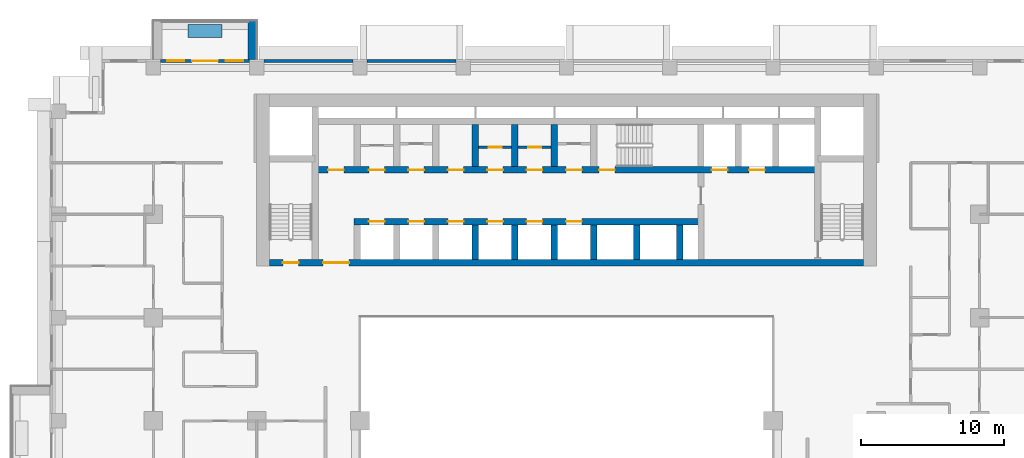
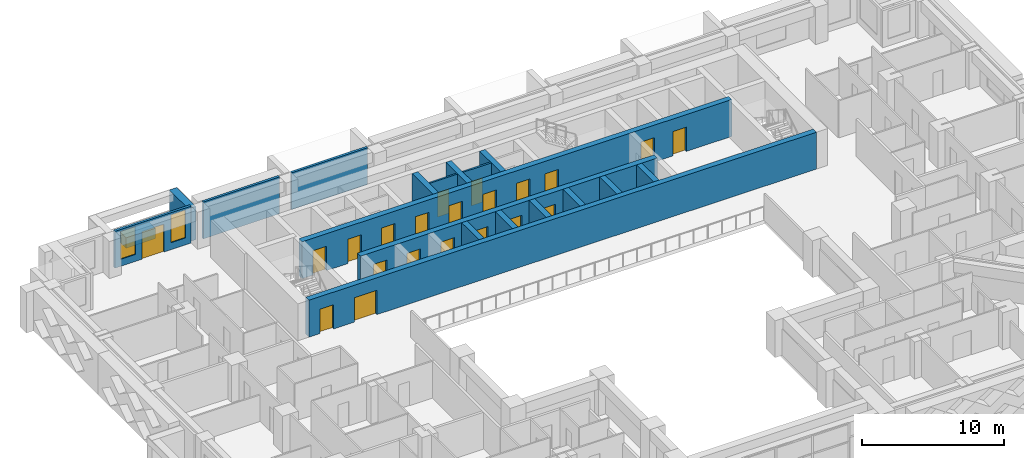
# One storey, part 10 of 16: 21 doors, 19 walls, 2 windows, 23 openings.
"""IFC4 building model written with IfcOpenShell, lengths in metres."""

from ifc_helpers import new_model, si_unit, direction, frame, frame_2d, origin, place, context, subcontext, project, spatial, rectangle, extrude, material, layer, layer_set, type_object, element, fill, save


model = new_model("IFC4")

# Units and contexts
model_context = context("Model", 3, precision=1e-05, world=origin(), true_north=direction((0.0, 1.0)))
body_context = subcontext(model_context, "Body", "Model", "MODEL_VIEW")
ifc_project = project(units=[si_unit("LENGTHUNIT", "METRE"), si_unit("AREAUNIT", "SQUARE_METRE"), si_unit("VOLUMEUNIT", "CUBIC_METRE"), si_unit("PLANEANGLEUNIT", "RADIAN"), si_unit("MASSUNIT", "GRAM", prefix="KILO")], contexts=[model_context])

# Site, building, storey
site_placement = place(None, origin())
site = spatial("IfcSite", under=ifc_project, at=site_placement, CompositionType="ELEMENT")
building_placement = place(site_placement, origin())
building = spatial("IfcBuilding", under=site, at=building_placement, Name="Saffron Iwan Residences", CompositionType="ELEMENT")
storey_placement = place(building_placement, frame((0.0, 0.0, 83.0)))
storey = spatial("IfcBuildingStorey", under=building, at=storey_placement, Name="L21", CompositionType="ELEMENT", Elevation=83.0)

# Walls
ifc_material_1 = material(Name="Concrete C50/60 white painted", Category="concrete")
ifc_layer_1 = layer(ifc_material_1, 0.60009765625)
ifc_layer_set_1 = layer_set([ifc_layer_1], Name="Concrete C50/60 white painted")
wall_type_1 = type_object("IfcWallType", Name="BALCONY FIN 600", PredefinedType="SOLIDWALL", material=ifc_layer_set_1)
wall_1_placement = place(storey_placement, frame((28.5, 80.39990234375, 0.0), z_axis=(0.0, 0.0, 1.0), x_axis=(0.0, 1.0, 0.0)))
element("IfcWall", 1, at=wall_1_placement, inside=storey, type_object=wall_type_1, Name="Balcony fin L21 F5-3a", PredefinedType="SOLIDWALL", context=body_context, shape_type="SweptSolid", body=[
    extrude(rectangle(XDim=2.7001953125, YDim=0.60009765625, at=frame_2d((1.35009765625, 0.0))), origin(), (0.0, 0.0, 1.0), 2.85009765625),
])
ifc_material_2 = material(Name="Concrete C35/45 white painted", Category="concrete")
ifc_layer_2 = layer(ifc_material_2, 0.14990234375)
ifc_layer_set_2 = layer_set([ifc_layer_2], Name="Concrete C35/45 white painted")
wall_type_2 = type_object("IfcWallType", Name="BALCONY PLANTER", PredefinedType="SOLIDWALL", material=ifc_layer_set_2)
wall_2_placement = place(storey_placement, frame((26.39990234375, 82.375, 0.0), z_axis=(0.0, 0.0, 1.0), x_axis=(-1.0, 0.0, 0.0)))
element("IfcWall", 2, at=wall_2_placement, inside=storey, type_object=wall_type_2, Name="PLANTER L21 F5-3", PredefinedType="SOLIDWALL", context=body_context, shape_type="SweptSolid", body=[
    extrude(rectangle(XDim=2.39990234375, YDim=0.89990234375, at=frame_2d((1.199951171875, 0.0))), origin(), (0.0, 0.0, 1.0), 0.89990234375),
])

# Wall, opening, door
ifc_material_3 = material(Name="Fire-rated plasterboard partition")
ifc_layer_3 = layer(ifc_material_3, 0.14990234375)
ifc_layer_set_3 = layer_set([ifc_layer_3], Name="Fire-rated plasterboard partition")
wall_type_3 = type_object("IfcWallType", Name="Core partition 150", PredefinedType="PARTITIONING", material=ifc_layer_set_3)
wall_3_placement = place(storey_placement, frame((44.27490234375, 74.281982421875, 0.0), z_axis=(0.0, 0.0, 1.0), x_axis=(1.0, 0.0, 0.0)))
wall_3 = element("IfcWall", 3, at=wall_3_placement, inside=storey, type_object=wall_type_3, Name="Core partition P03", PredefinedType="PARTITIONING", context=body_context, shape_type="SweptSolid", body=[
    extrude(rectangle(XDim=2.300048828125, YDim=0.14990234375, at=frame_2d((1.14990234375, 0.0))), origin(), (0.0, 0.0, 1.0), 3.179931640625),
])
opening_1_placement = place(wall_3_placement, frame((0.699951171875, 0.0, 0.0)))
opening_1 = element("IfcOpeningElement", 4, at=opening_1_placement, cuts=wall_3, Name="Opening SB", PredefinedType="OPENING", context=body_context, shape_type="SweptSolid", body=[
    extrude(rectangle(XDim=0.89990234375, YDim=2.10009765625, at=frame_2d((0.449951171875, 1.050048828125))), frame((0.0, 0.0849609375, 0.0), z_axis=(0.0, -1.0, 0.0), x_axis=(1.0, 0.0, 0.0)), (0.0, 0.0, 1.0), 0.169921875),
])
ifc_material_4 = material(Name="Steel fire door", Category="steel")
door_type_1 = type_object("IfcDoorType", Name="Store door 900", OperationType="NOTDEFINED", PredefinedType="DOOR", material=ifc_material_4)
door_1_placement = place(opening_1_placement, origin())
door_1 = element("IfcDoor", 5, at=door_1_placement, inside=storey, type_object=door_type_1, Name="Door Records store", OperationType="SINGLE_SWING_RIGHT", OverallHeight=2.10009765625, OverallWidth=0.89990234375, PredefinedType="DOOR", context=body_context, shape_type="SweptSolid", body=[
    extrude(rectangle(XDim=0.89990234375, YDim=2.10009765625, at=frame_2d((0.449951171875, 1.050048828125))), frame((0.0, 0.02490234375, 0.0), z_axis=(0.0, -1.0, 0.0), x_axis=(1.0, 0.0, 0.0)), (0.0, 0.0, 1.0), 0.050048828125),
])
fill(opening_1, door_1)

wall_4_placement = place(storey_placement, frame((47.02490234375, 74.281982421875, 0.0), z_axis=(0.0, 0.0, 1.0), x_axis=(1.0, 0.0, 0.0)))
wall_4 = element("IfcWall", 6, at=wall_4_placement, inside=storey, type_object=wall_type_3, Name="Core partition P04", PredefinedType="PARTITIONING", context=body_context, shape_type="SweptSolid", body=[
    extrude(rectangle(XDim=2.300048828125, YDim=0.14990234375, at=frame_2d((1.14990234375, 0.0))), origin(), (0.0, 0.0, 1.0), 3.179931640625),
])
opening_2_placement = place(wall_4_placement, frame((0.699951171875, 0.0, 0.0)))
opening_2 = element("IfcOpeningElement", 7, at=opening_2_placement, cuts=wall_4, Name="Opening SB", PredefinedType="OPENING", context=body_context, shape_type="SweptSolid", body=[
    extrude(rectangle(XDim=0.89990234375, YDim=2.10009765625, at=frame_2d((0.449951171875, 1.050048828125))), frame((0.0, 0.0849609375, 0.0), z_axis=(0.0, -1.0, 0.0), x_axis=(1.0, 0.0, 0.0)), (0.0, 0.0, 1.0), 0.169921875),
])
door_2_placement = place(opening_2_placement, origin())
door_2 = element("IfcDoor", 8, at=door_2_placement, inside=storey, type_object=door_type_1, Name="Door Stationery store", OperationType="SINGLE_SWING_LEFT", OverallHeight=2.10009765625, OverallWidth=0.89990234375, PredefinedType="DOOR", context=body_context, shape_type="SweptSolid", body=[
    extrude(rectangle(XDim=0.89990234375, YDim=2.10009765625, at=frame_2d((0.449951171875, 1.050048828125))), frame((0.0, 0.02490234375, 0.0), z_axis=(0.0, -1.0, 0.0), x_axis=(1.0, 0.0, 0.0)), (0.0, 0.0, 1.0), 0.050048828125),
])
fill(opening_2, door_2)

# Walls
ifc_material_5 = material(Name="Concrete C40/50", Category="concrete")
ifc_layer_4 = layer(ifc_material_5, 0.199951171875)
ifc_layer_set_4 = layer_set([ifc_layer_4], Name="Concrete C40/50")
wall_type_4 = type_object("IfcWallType", Name="EXTERNAL WALL 200", PredefinedType="SOLIDWALL", material=ifc_layer_set_4)
for number, where, z_axis, x_axis, name in (
    (9, (42.699951171875, 80.300048828125, 0.0), (0.0, 0.0, 1.0), (-1.0, 0.0, 0.0), "External wall L21 F5.6"),
    (10, (35.5, 80.300048828125, 0.0), (0.0, 0.0, 1.0), (-1.0, 0.0, 0.0), "External wall L21 F5.7"),
):
    element("IfcWall", number, at=place(storey_placement, frame(where, z_axis=z_axis, x_axis=x_axis)), inside=storey, type_object=wall_type_4, Name=name, PredefinedType="SOLIDWALL", context=body_context, shape_type="SweptSolid", body=[
        extrude(rectangle(XDim=6.199951171875, YDim=0.199951171875, at=frame_2d((3.10009765625, 0.0))), origin(), (0.0, 0.0, 1.0), 3.179931640625),
    ])

# Wall, openings, door, windows
wall_5_placement = place(storey_placement, frame((28.300048828125, 80.300048828125, 0.0), z_axis=(0.0, 0.0, 1.0), x_axis=(-1.0, 0.0, 0.0)))
wall_5 = element("IfcWall", 11, at=wall_5_placement, inside=storey, type_object=wall_type_4, Name="External wall L21 F5.8", PredefinedType="SOLIDWALL", context=body_context, shape_type="SweptSolid", body=[
    extrude(rectangle(XDim=6.199951171875, YDim=0.199951171875, at=frame_2d((3.10009765625, 0.0))), origin(), (0.0, 0.0, 1.0), 3.179931640625),
])
opening_3_placement = place(wall_5_placement, frame((2.199951171875, 0.0, 0.0)))
opening_3 = element("IfcOpeningElement", 12, at=opening_3_placement, cuts=wall_5, Name="Opening BD1", PredefinedType="OPENING", context=body_context, shape_type="SweptSolid", body=[
    extrude(rectangle(XDim=1.800048828125, YDim=2.39990234375, at=frame_2d((0.89990234375, 1.199951171875))), frame((0.0, 0.10986328125, 0.0), z_axis=(0.0, -1.0, 0.0), x_axis=(1.0, 0.0, 0.0)), (0.0, 0.0, 1.0), 0.219970703125),
])
opening_4_placement = place(wall_5_placement, frame((0.449951171875, 0.0, 0.60009765625)))
opening_4 = element("IfcOpeningElement", 13, at=opening_4_placement, cuts=wall_5, Name="Opening W3", PredefinedType="OPENING", context=body_context, shape_type="SweptSolid", body=[
    extrude(rectangle(XDim=1.199951171875, YDim=2.39990234375, at=frame_2d((0.60009765625, 1.199951171875))), frame((0.0, 0.10986328125, 0.0), z_axis=(0.0, -1.0, 0.0), x_axis=(1.0, 0.0, 0.0)), (0.0, 0.0, 1.0), 0.219970703125),
])
opening_5_placement = place(wall_5_placement, frame((4.550048828125, 0.0, 0.60009765625)))
opening_5 = element("IfcOpeningElement", 14, at=opening_5_placement, cuts=wall_5, Name="Opening W3", PredefinedType="OPENING", context=body_context, shape_type="SweptSolid", body=[
    extrude(rectangle(XDim=1.199951171875, YDim=2.39990234375, at=frame_2d((0.60009765625, 1.199951171875))), frame((0.0, 0.10986328125, 0.0), z_axis=(0.0, -1.0, 0.0), x_axis=(1.0, 0.0, 0.0)), (0.0, 0.0, 1.0), 0.219970703125),
])
ifc_material_6 = material(Name="Clear glass, laminated double glazed", Category="glass")
door_type_2 = type_object("IfcDoorType", Name="BALCONY DOOR 1800 x 2400", OperationType="DOUBLE_DOOR_SLIDING", PredefinedType="DOOR", material=ifc_material_6)
door_3_placement = place(opening_3_placement, origin())
door_3 = element("IfcDoor", 15, at=door_3_placement, inside=storey, type_object=door_type_2, Name="Balcony door L21 F5.0", OperationType="DOUBLE_DOOR_SLIDING", OverallHeight=2.39990234375, OverallWidth=1.800048828125, PredefinedType="DOOR", context=body_context, shape_type="SweptSolid", body=[
    extrude(rectangle(XDim=1.800048828125, YDim=2.39990234375, at=frame_2d((0.89990234375, 1.199951171875))), frame((0.0, 0.02490234375, 0.0), z_axis=(0.0, -1.0, 0.0), x_axis=(1.0, 0.0, 0.0)), (0.0, 0.0, 1.0), 0.050048828125),
])
fill(opening_3, door_3)
window_type = type_object("IfcWindowType", Name="WINDOW 1200 x 2400", PartitioningType="SINGLE_PANEL", PredefinedType="WINDOW", material=ifc_material_6)
window_1_placement = place(opening_4_placement, origin())
window_1 = element("IfcWindow", 16, at=window_1_placement, inside=storey, type_object=window_type, Name="Window L21 F5.1", OverallHeight=2.39990234375, OverallWidth=1.199951171875, PartitioningType="SINGLE_PANEL", PredefinedType="WINDOW", context=body_context, shape_type="SweptSolid", body=[
    extrude(rectangle(XDim=1.199951171875, YDim=2.39990234375, at=frame_2d((0.60009765625, 1.199951171875))), frame((0.0, 0.030029296875, 0.0), z_axis=(0.0, -1.0, 0.0), x_axis=(1.0, 0.0, 0.0)), (0.0, 0.0, 1.0), 0.06005859375),
])
fill(opening_4, window_1)
window_2_placement = place(opening_5_placement, origin())
window_2 = element("IfcWindow", 17, at=window_2_placement, inside=storey, type_object=window_type, Name="Window L21 F5.2", OverallHeight=2.39990234375, OverallWidth=1.199951171875, PartitioningType="SINGLE_PANEL", PredefinedType="WINDOW", context=body_context, shape_type="SweptSolid", body=[
    extrude(rectangle(XDim=1.199951171875, YDim=2.39990234375, at=frame_2d((0.60009765625, 1.199951171875))), frame((0.0, 0.030029296875, 0.0), z_axis=(0.0, -1.0, 0.0), x_axis=(1.0, 0.0, 0.0)), (0.0, 0.0, 1.0), 0.06005859375),
])
fill(opening_5, window_2)

# Wall, openings, doors
ifc_material_7 = material(Name="Concrete C60/75", Category="concrete")
ifc_layer_5 = layer(ifc_material_7, 0.449951171875)
ifc_layer_set_5 = layer_set([ifc_layer_5], Name="Concrete C60/75")
wall_type_5 = type_object("IfcWallType", Name="WALL CORE 450 C60/75 3180 HIGH", PredefinedType="SHEAR", material=ifc_layer_set_5)
wall_6_placement = place(storey_placement, frame((29.699951171875, 66.22509765625, 0.0), z_axis=(0.0, 0.0, 1.0), x_axis=(1.0, 0.0, 0.0)))
wall_6 = element("IfcWall", 18, at=wall_6_placement, inside=storey, type_object=wall_type_5, Name="Core wall", PredefinedType="SHEAR", context=body_context, shape_type="SweptSolid", body=[
    extrude(rectangle(XDim=41.400146484375, YDim=0.449951171875, at=frame_2d((20.7001953125, 0.0))), origin(), (0.0, 0.0, 1.0), 3.179931640625),
])
opening_6_placement = place(wall_6_placement, frame((0.925048828125, 0.0, 0.0)))
opening_6 = element("IfcOpeningElement", 19, at=opening_6_placement, cuts=wall_6, Name="Opening SD", PredefinedType="OPENING", context=body_context, shape_type="SweptSolid", body=[
    extrude(rectangle(XDim=1.10009765625, YDim=2.10009765625, at=frame_2d((0.550048828125, 1.050048828125))), frame((0.0, 0.23486328125, 0.0), z_axis=(0.0, -1.0, 0.0), x_axis=(1.0, 0.0, 0.0)), (0.0, 0.0, 1.0), 0.469970703125),
])
opening_7_placement = place(wall_6_placement, frame((3.737548828125, 0.0, 0.0)))
opening_7 = element("IfcOpeningElement", 20, at=opening_7_placement, cuts=wall_6, Name="Opening DD", PredefinedType="OPENING", context=body_context, shape_type="SweptSolid", body=[
    extrude(rectangle(XDim=1.800048828125, YDim=2.10009765625, at=frame_2d((0.89990234375, 1.050048828125))), frame((0.0, 0.23486328125, 0.0), z_axis=(0.0, -1.0, 0.0), x_axis=(1.0, 0.0, 0.0)), (0.0, 0.0, 1.0), 0.469970703125),
])
door_type_3 = type_object("IfcDoorType", Name="Lobby double door 1800", OperationType="DOUBLE_DOOR_SINGLE_SWING", PredefinedType="DOOR", material=ifc_material_4)
door_4_placement = place(opening_7_placement, origin())
door_4 = element("IfcDoor", 21, at=door_4_placement, inside=storey, type_object=door_type_3, Name="Lobby doors", OperationType="DOUBLE_DOOR_SINGLE_SWING", OverallHeight=2.10009765625, OverallWidth=1.800048828125, PredefinedType="DOOR", context=body_context, shape_type="SweptSolid", body=[
    extrude(rectangle(XDim=1.800048828125, YDim=2.10009765625, at=frame_2d((0.89990234375, 1.050048828125))), frame((0.0, 0.02490234375, 0.0), z_axis=(0.0, -1.0, 0.0), x_axis=(1.0, 0.0, 0.0)), (0.0, 0.0, 1.0), 0.050048828125),
])
fill(opening_7, door_4)
door_type_4 = type_object("IfcDoorType", Name="Stair door 1100", OperationType="NOTDEFINED", PredefinedType="DOOR", material=ifc_material_4)
door_5_placement = place(opening_6_placement, origin())
door_5 = element("IfcDoor", 22, at=door_5_placement, inside=storey, type_object=door_type_4, Name="Stair door ST-W", OperationType="SINGLE_SWING_LEFT", OverallHeight=2.10009765625, OverallWidth=1.10009765625, PredefinedType="DOOR", context=body_context, shape_type="SweptSolid", body=[
    extrude(rectangle(XDim=1.10009765625, YDim=2.10009765625, at=frame_2d((0.550048828125, 1.050048828125))), frame((0.0, 0.02490234375, 0.0), z_axis=(0.0, -1.0, 0.0), x_axis=(1.0, 0.0, 0.0)), (0.0, 0.0, 1.0), 0.050048828125),
])
fill(opening_6, door_5)

wall_7_placement = place(storey_placement, frame((35.574951171875, 69.10009765625, 0.0), z_axis=(0.0, 0.0, 1.0), x_axis=(1.0, 0.0, 0.0)))
wall_7 = element("IfcWall", 23, at=wall_7_placement, inside=storey, type_object=wall_type_5, Name="Core wall", PredefinedType="SHEAR", context=body_context, shape_type="SweptSolid", body=[
    extrude(rectangle(XDim=24.199951171875, YDim=0.449951171875, at=frame_2d((12.10009765625, 0.0))), origin(), (0.0, 0.0, 1.0), 3.179931640625),
])
opening_8_placement = place(wall_7_placement, frame((1.050048828125, 0.0, 0.0)))
opening_8 = element("IfcOpeningElement", 24, at=opening_8_placement, cuts=wall_7, Name="Opening LD", PredefinedType="OPENING", context=body_context, shape_type="SweptSolid", body=[
    extrude(rectangle(XDim=1.10009765625, YDim=2.10009765625, at=frame_2d((0.550048828125, 1.050048828125))), frame((0.0, 0.23486328125, 0.0), z_axis=(0.0, -1.0, 0.0), x_axis=(1.0, 0.0, 0.0)), (0.0, 0.0, 1.0), 0.469970703125),
])
opening_9_placement = place(wall_7_placement, frame((3.800048828125, 0.0, 0.0)))
opening_9 = element("IfcOpeningElement", 25, at=opening_9_placement, cuts=wall_7, Name="Opening LD", PredefinedType="OPENING", context=body_context, shape_type="SweptSolid", body=[
    extrude(rectangle(XDim=1.10009765625, YDim=2.10009765625, at=frame_2d((0.550048828125, 1.050048828125))), frame((0.0, 0.23486328125, 0.0), z_axis=(0.0, -1.0, 0.0), x_axis=(1.0, 0.0, 0.0)), (0.0, 0.0, 1.0), 0.469970703125),
])
opening_10_placement = place(wall_7_placement, frame((6.550048828125, 0.0, 0.0)))
opening_10 = element("IfcOpeningElement", 26, at=opening_10_placement, cuts=wall_7, Name="Opening LD", PredefinedType="OPENING", context=body_context, shape_type="SweptSolid", body=[
    extrude(rectangle(XDim=1.10009765625, YDim=2.10009765625, at=frame_2d((0.550048828125, 1.050048828125))), frame((0.0, 0.23486328125, 0.0), z_axis=(0.0, -1.0, 0.0), x_axis=(1.0, 0.0, 0.0)), (0.0, 0.0, 1.0), 0.469970703125),
])
opening_11_placement = place(wall_7_placement, frame((9.300048828125, 0.0, 0.0)))
opening_11 = element("IfcOpeningElement", 27, at=opening_11_placement, cuts=wall_7, Name="Opening LD", PredefinedType="OPENING", context=body_context, shape_type="SweptSolid", body=[
    extrude(rectangle(XDim=1.10009765625, YDim=2.10009765625, at=frame_2d((0.550048828125, 1.050048828125))), frame((0.0, 0.23486328125, 0.0), z_axis=(0.0, -1.0, 0.0), x_axis=(1.0, 0.0, 0.0)), (0.0, 0.0, 1.0), 0.469970703125),
])
opening_12_placement = place(wall_7_placement, frame((12.050048828125, 0.0, 0.0)))
opening_12 = element("IfcOpeningElement", 28, at=opening_12_placement, cuts=wall_7, Name="Opening LD", PredefinedType="OPENING", context=body_context, shape_type="SweptSolid", body=[
    extrude(rectangle(XDim=1.10009765625, YDim=2.10009765625, at=frame_2d((0.550048828125, 1.050048828125))), frame((0.0, 0.23486328125, 0.0), z_axis=(0.0, -1.0, 0.0), x_axis=(1.0, 0.0, 0.0)), (0.0, 0.0, 1.0), 0.469970703125),
])
opening_13_placement = place(wall_7_placement, frame((14.800048828125, 0.0, 0.0)))
opening_13 = element("IfcOpeningElement", 29, at=opening_13_placement, cuts=wall_7, Name="Opening LD", PredefinedType="OPENING", context=body_context, shape_type="SweptSolid", body=[
    extrude(rectangle(XDim=1.10009765625, YDim=2.10009765625, at=frame_2d((0.550048828125, 1.050048828125))), frame((0.0, 0.23486328125, 0.0), z_axis=(0.0, -1.0, 0.0), x_axis=(1.0, 0.0, 0.0)), (0.0, 0.0, 1.0), 0.469970703125),
])
door_type_5 = type_object("IfcDoorType", Name="Lift landing door 1100", OperationType="SLIDING_TO_LEFT", PredefinedType="DOOR", material=ifc_material_4)
door_6_placement = place(opening_8_placement, origin())
door_6 = element("IfcDoor", 30, at=door_6_placement, inside=storey, type_object=door_type_5, Name="Landing doors LR1", OperationType="SLIDING_TO_LEFT", OverallHeight=2.10009765625, OverallWidth=1.10009765625, PredefinedType="DOOR", context=body_context, shape_type="SweptSolid", body=[
    extrude(rectangle(XDim=1.10009765625, YDim=2.10009765625, at=frame_2d((0.550048828125, 1.050048828125))), frame((0.0, 0.02490234375, 0.0), z_axis=(0.0, -1.0, 0.0), x_axis=(1.0, 0.0, 0.0)), (0.0, 0.0, 1.0), 0.050048828125),
])
fill(opening_8, door_6)
door_7_placement = place(opening_9_placement, origin())
door_7 = element("IfcDoor", 31, at=door_7_placement, inside=storey, type_object=door_type_5, Name="Landing doors LR2", OperationType="SLIDING_TO_LEFT", OverallHeight=2.10009765625, OverallWidth=1.10009765625, PredefinedType="DOOR", context=body_context, shape_type="SweptSolid", body=[
    extrude(rectangle(XDim=1.10009765625, YDim=2.10009765625, at=frame_2d((0.550048828125, 1.050048828125))), frame((0.0, 0.02490234375, 0.0), z_axis=(0.0, -1.0, 0.0), x_axis=(1.0, 0.0, 0.0)), (0.0, 0.0, 1.0), 0.050048828125),
])
fill(opening_9, door_7)
door_8_placement = place(opening_10_placement, origin())
door_8 = element("IfcDoor", 32, at=door_8_placement, inside=storey, type_object=door_type_5, Name="Landing doors LR3", OperationType="SLIDING_TO_LEFT", OverallHeight=2.10009765625, OverallWidth=1.10009765625, PredefinedType="DOOR", context=body_context, shape_type="SweptSolid", body=[
    extrude(rectangle(XDim=1.10009765625, YDim=2.10009765625, at=frame_2d((0.550048828125, 1.050048828125))), frame((0.0, 0.02490234375, 0.0), z_axis=(0.0, -1.0, 0.0), x_axis=(1.0, 0.0, 0.0)), (0.0, 0.0, 1.0), 0.050048828125),
])
fill(opening_10, door_8)
door_9_placement = place(opening_11_placement, origin())
door_9 = element("IfcDoor", 33, at=door_9_placement, inside=storey, type_object=door_type_5, Name="Landing doors LR4", OperationType="SLIDING_TO_LEFT", OverallHeight=2.10009765625, OverallWidth=1.10009765625, PredefinedType="DOOR", context=body_context, shape_type="SweptSolid", body=[
    extrude(rectangle(XDim=1.10009765625, YDim=2.10009765625, at=frame_2d((0.550048828125, 1.050048828125))), frame((0.0, 0.02490234375, 0.0), z_axis=(0.0, -1.0, 0.0), x_axis=(1.0, 0.0, 0.0)), (0.0, 0.0, 1.0), 0.050048828125),
])
fill(opening_11, door_9)
door_10_placement = place(opening_12_placement, origin())
door_10 = element("IfcDoor", 34, at=door_10_placement, inside=storey, type_object=door_type_5, Name="Landing doors LR5", OperationType="SLIDING_TO_LEFT", OverallHeight=2.10009765625, OverallWidth=1.10009765625, PredefinedType="DOOR", context=body_context, shape_type="SweptSolid", body=[
    extrude(rectangle(XDim=1.10009765625, YDim=2.10009765625, at=frame_2d((0.550048828125, 1.050048828125))), frame((0.0, 0.02490234375, 0.0), z_axis=(0.0, -1.0, 0.0), x_axis=(1.0, 0.0, 0.0)), (0.0, 0.0, 1.0), 0.050048828125),
])
fill(opening_12, door_10)
door_11_placement = place(opening_13_placement, origin())
door_11 = element("IfcDoor", 35, at=door_11_placement, inside=storey, type_object=door_type_5, Name="Landing doors LR6", OperationType="SLIDING_TO_LEFT", OverallHeight=2.10009765625, OverallWidth=1.10009765625, PredefinedType="DOOR", context=body_context, shape_type="SweptSolid", body=[
    extrude(rectangle(XDim=1.10009765625, YDim=2.10009765625, at=frame_2d((0.550048828125, 1.050048828125))), frame((0.0, 0.02490234375, 0.0), z_axis=(0.0, -1.0, 0.0), x_axis=(1.0, 0.0, 0.0)), (0.0, 0.0, 1.0), 0.050048828125),
])
fill(opening_13, door_11)

wall_8_placement = place(storey_placement, frame((32.875, 72.699951171875, 0.0), z_axis=(0.0, 0.0, 1.0), x_axis=(1.0, 0.0, 0.0)))
wall_8 = element("IfcWall", 36, at=wall_8_placement, inside=storey, type_object=wall_type_5, Name="Core wall", PredefinedType="SHEAR", context=body_context, shape_type="SweptSolid", body=[
    extrude(rectangle(XDim=35.050048828125, YDim=0.449951171875, at=frame_2d((17.52490234375, 0.0))), origin(), (0.0, 0.0, 1.0), 3.179931640625),
])
opening_14_placement = place(wall_8_placement, frame((19.800048828125, 0.0, 0.0)))
opening_14 = element("IfcOpeningElement", 37, at=opening_14_placement, cuts=wall_8, Name="Opening SD", PredefinedType="OPENING", context=body_context, shape_type="SweptSolid", body=[
    extrude(rectangle(XDim=1.10009765625, YDim=2.10009765625, at=frame_2d((0.550048828125, 1.050048828125))), frame((0.0, 0.23486328125, 0.0), z_axis=(0.0, -1.0, 0.0), x_axis=(1.0, 0.0, 0.0)), (0.0, 0.0, 1.0), 0.469970703125),
])
opening_15_placement = place(wall_8_placement, frame((27.64990234375, 0.0, 0.0)))
opening_15 = element("IfcOpeningElement", 38, at=opening_15_placement, cuts=wall_8, Name="Opening LD", PredefinedType="OPENING", context=body_context, shape_type="SweptSolid", body=[
    extrude(rectangle(XDim=1.10009765625, YDim=2.10009765625, at=frame_2d((0.550048828125, 1.050048828125))), frame((0.0, 0.23486328125, 0.0), z_axis=(0.0, -1.0, 0.0), x_axis=(1.0, 0.0, 0.0)), (0.0, 0.0, 1.0), 0.469970703125),
])
opening_16_placement = place(wall_8_placement, frame((30.25, 0.0, 0.0)))
opening_16 = element("IfcOpeningElement", 39, at=opening_16_placement, cuts=wall_8, Name="Opening LD", PredefinedType="OPENING", context=body_context, shape_type="SweptSolid", body=[
    extrude(rectangle(XDim=1.10009765625, YDim=2.10009765625, at=frame_2d((0.550048828125, 1.050048828125))), frame((0.0, 0.23486328125, 0.0), z_axis=(0.0, -1.0, 0.0), x_axis=(1.0, 0.0, 0.0)), (0.0, 0.0, 1.0), 0.469970703125),
])
opening_17_placement = place(wall_8_placement, frame((3.75, 0.0, 0.0)))
opening_17 = element("IfcOpeningElement", 40, at=opening_17_placement, cuts=wall_8, Name="Opening SR", PredefinedType="OPENING", context=body_context, shape_type="SweptSolid", body=[
    extrude(rectangle(XDim=1.10009765625, YDim=2.10009765625, at=frame_2d((0.550048828125, 1.050048828125))), frame((0.0, 0.23486328125, 0.0), z_axis=(0.0, -1.0, 0.0), x_axis=(1.0, 0.0, 0.0)), (0.0, 0.0, 1.0), 0.469970703125),
])
opening_18_placement = place(wall_8_placement, frame((6.5, 0.0, 0.0)))
opening_18 = element("IfcOpeningElement", 41, at=opening_18_placement, cuts=wall_8, Name="Opening SR", PredefinedType="OPENING", context=body_context, shape_type="SweptSolid", body=[
    extrude(rectangle(XDim=1.10009765625, YDim=2.10009765625, at=frame_2d((0.550048828125, 1.050048828125))), frame((0.0, 0.23486328125, 0.0), z_axis=(0.0, -1.0, 0.0), x_axis=(1.0, 0.0, 0.0)), (0.0, 0.0, 1.0), 0.469970703125),
])
opening_19_placement = place(wall_8_placement, frame((9.25, 0.0, 0.0)))
opening_19 = element("IfcOpeningElement", 42, at=opening_19_placement, cuts=wall_8, Name="Opening SR", PredefinedType="OPENING", context=body_context, shape_type="SweptSolid", body=[
    extrude(rectangle(XDim=1.10009765625, YDim=2.10009765625, at=frame_2d((0.550048828125, 1.050048828125))), frame((0.0, 0.23486328125, 0.0), z_axis=(0.0, -1.0, 0.0), x_axis=(1.0, 0.0, 0.0)), (0.0, 0.0, 1.0), 0.469970703125),
])
opening_20_placement = place(wall_8_placement, frame((12.0, 0.0, 0.0)))
opening_20 = element("IfcOpeningElement", 43, at=opening_20_placement, cuts=wall_8, Name="Opening SR", PredefinedType="OPENING", context=body_context, shape_type="SweptSolid", body=[
    extrude(rectangle(XDim=1.10009765625, YDim=2.10009765625, at=frame_2d((0.550048828125, 1.050048828125))), frame((0.0, 0.23486328125, 0.0), z_axis=(0.0, -1.0, 0.0), x_axis=(1.0, 0.0, 0.0)), (0.0, 0.0, 1.0), 0.469970703125),
])
opening_21_placement = place(wall_8_placement, frame((14.75, 0.0, 0.0)))
opening_21 = element("IfcOpeningElement", 44, at=opening_21_placement, cuts=wall_8, Name="Opening SR", PredefinedType="OPENING", context=body_context, shape_type="SweptSolid", body=[
    extrude(rectangle(XDim=1.10009765625, YDim=2.10009765625, at=frame_2d((0.550048828125, 1.050048828125))), frame((0.0, 0.23486328125, 0.0), z_axis=(0.0, -1.0, 0.0), x_axis=(1.0, 0.0, 0.0)), (0.0, 0.0, 1.0), 0.469970703125),
])
opening_22_placement = place(wall_8_placement, frame((17.5, 0.0, 0.0)))
opening_22 = element("IfcOpeningElement", 45, at=opening_22_placement, cuts=wall_8, Name="Opening SR", PredefinedType="OPENING", context=body_context, shape_type="SweptSolid", body=[
    extrude(rectangle(XDim=1.10009765625, YDim=2.10009765625, at=frame_2d((0.550048828125, 1.050048828125))), frame((0.0, 0.23486328125, 0.0), z_axis=(0.0, -1.0, 0.0), x_axis=(1.0, 0.0, 0.0)), (0.0, 0.0, 1.0), 0.469970703125),
])
opening_23_placement = place(wall_8_placement, frame((0.91259765625, 0.0, 0.0)))
opening_23 = element("IfcOpeningElement", 46, at=opening_23_placement, cuts=wall_8, Name="Opening SR", PredefinedType="OPENING", context=body_context, shape_type="SweptSolid", body=[
    extrude(rectangle(XDim=1.10009765625, YDim=2.10009765625, at=frame_2d((0.550048828125, 1.050048828125))), frame((0.0, 0.23486328125, 0.0), z_axis=(0.0, -1.0, 0.0), x_axis=(1.0, 0.0, 0.0)), (0.0, 0.0, 1.0), 0.469970703125),
])
door_12_placement = place(opening_15_placement, origin())
door_12 = element("IfcDoor", 47, at=door_12_placement, inside=storey, type_object=door_type_5, Name="Landing doors FF1", OperationType="SLIDING_TO_LEFT", OverallHeight=2.10009765625, OverallWidth=1.10009765625, PredefinedType="DOOR", context=body_context, shape_type="SweptSolid", body=[
    extrude(rectangle(XDim=1.10009765625, YDim=2.10009765625, at=frame_2d((0.550048828125, 1.050048828125))), frame((0.0, 0.02490234375, 0.0), z_axis=(0.0, -1.0, 0.0), x_axis=(1.0, 0.0, 0.0)), (0.0, 0.0, 1.0), 0.050048828125),
])
fill(opening_15, door_12)
door_13_placement = place(opening_16_placement, origin())
door_13 = element("IfcDoor", 48, at=door_13_placement, inside=storey, type_object=door_type_5, Name="Landing doors FF2", OperationType="SLIDING_TO_LEFT", OverallHeight=2.10009765625, OverallWidth=1.10009765625, PredefinedType="DOOR", context=body_context, shape_type="SweptSolid", body=[
    extrude(rectangle(XDim=1.10009765625, YDim=2.10009765625, at=frame_2d((0.550048828125, 1.050048828125))), frame((0.0, 0.02490234375, 0.0), z_axis=(0.0, -1.0, 0.0), x_axis=(1.0, 0.0, 0.0)), (0.0, 0.0, 1.0), 0.050048828125),
])
fill(opening_16, door_13)
door_type_6 = type_object("IfcDoorType", Name="Service door 1100", OperationType="NOTDEFINED", PredefinedType="DOOR", material=ifc_material_4)
door_14_placement = place(opening_17_placement, origin())
door_14 = element("IfcDoor", 49, at=door_14_placement, inside=storey, type_object=door_type_6, Name="Door Trolley store", OperationType="SINGLE_SWING_LEFT", OverallHeight=2.10009765625, OverallWidth=1.10009765625, PredefinedType="DOOR", context=body_context, shape_type="SweptSolid", body=[
    extrude(rectangle(XDim=1.10009765625, YDim=2.10009765625, at=frame_2d((0.550048828125, 1.050048828125))), frame((0.0, 0.02490234375, 0.0), z_axis=(0.0, -1.0, 0.0), x_axis=(1.0, 0.0, 0.0)), (0.0, 0.0, 1.0), 0.050048828125),
])
fill(opening_17, door_14)
door_15_placement = place(opening_18_placement, origin())
door_15 = element("IfcDoor", 50, at=door_15_placement, inside=storey, type_object=door_type_6, Name="Door Communications room", OperationType="SINGLE_SWING_LEFT", OverallHeight=2.10009765625, OverallWidth=1.10009765625, PredefinedType="DOOR", context=body_context, shape_type="SweptSolid", body=[
    extrude(rectangle(XDim=1.10009765625, YDim=2.10009765625, at=frame_2d((0.550048828125, 1.050048828125))), frame((0.0, 0.02490234375, 0.0), z_axis=(0.0, -1.0, 0.0), x_axis=(1.0, 0.0, 0.0)), (0.0, 0.0, 1.0), 0.050048828125),
])
fill(opening_18, door_15)
door_16_placement = place(opening_19_placement, origin())
door_16 = element("IfcDoor", 51, at=door_16_placement, inside=storey, type_object=door_type_6, Name="Door Switch room", OperationType="SINGLE_SWING_LEFT", OverallHeight=2.10009765625, OverallWidth=1.10009765625, PredefinedType="DOOR", context=body_context, shape_type="SweptSolid", body=[
    extrude(rectangle(XDim=1.10009765625, YDim=2.10009765625, at=frame_2d((0.550048828125, 1.050048828125))), frame((0.0, 0.02490234375, 0.0), z_axis=(0.0, -1.0, 0.0), x_axis=(1.0, 0.0, 0.0)), (0.0, 0.0, 1.0), 0.050048828125),
])
fill(opening_19, door_16)
door_17_placement = place(opening_20_placement, origin())
door_17 = element("IfcDoor", 52, at=door_17_placement, inside=storey, type_object=door_type_6, Name="Door Furniture store", OperationType="SINGLE_SWING_LEFT", OverallHeight=2.10009765625, OverallWidth=1.10009765625, PredefinedType="DOOR", context=body_context, shape_type="SweptSolid", body=[
    extrude(rectangle(XDim=1.10009765625, YDim=2.10009765625, at=frame_2d((0.550048828125, 1.050048828125))), frame((0.0, 0.02490234375, 0.0), z_axis=(0.0, -1.0, 0.0), x_axis=(1.0, 0.0, 0.0)), (0.0, 0.0, 1.0), 0.050048828125),
])
fill(opening_20, door_17)
door_18_placement = place(opening_21_placement, origin())
door_18 = element("IfcDoor", 53, at=door_18_placement, inside=storey, type_object=door_type_6, Name="Door Housekeeping store", OperationType="SINGLE_SWING_LEFT", OverallHeight=2.10009765625, OverallWidth=1.10009765625, PredefinedType="DOOR", context=body_context, shape_type="SweptSolid", body=[
    extrude(rectangle(XDim=1.10009765625, YDim=2.10009765625, at=frame_2d((0.550048828125, 1.050048828125))), frame((0.0, 0.02490234375, 0.0), z_axis=(0.0, -1.0, 0.0), x_axis=(1.0, 0.0, 0.0)), (0.0, 0.0, 1.0), 0.050048828125),
])
fill(opening_21, door_18)
door_19_placement = place(opening_22_placement, origin())
door_19 = element("IfcDoor", 54, at=door_19_placement, inside=storey, type_object=door_type_6, Name="Door Cleaner's store", OperationType="SINGLE_SWING_LEFT", OverallHeight=2.10009765625, OverallWidth=1.10009765625, PredefinedType="DOOR", context=body_context, shape_type="SweptSolid", body=[
    extrude(rectangle(XDim=1.10009765625, YDim=2.10009765625, at=frame_2d((0.550048828125, 1.050048828125))), frame((0.0, 0.02490234375, 0.0), z_axis=(0.0, -1.0, 0.0), x_axis=(1.0, 0.0, 0.0)), (0.0, 0.0, 1.0), 0.050048828125),
])
fill(opening_22, door_19)
door_20_placement = place(opening_23_placement, origin())
door_20 = element("IfcDoor", 55, at=door_20_placement, inside=storey, type_object=door_type_6, Name="Door Storage room", OperationType="SINGLE_SWING_LEFT", OverallHeight=2.10009765625, OverallWidth=1.10009765625, PredefinedType="DOOR", context=body_context, shape_type="SweptSolid", body=[
    extrude(rectangle(XDim=1.10009765625, YDim=2.10009765625, at=frame_2d((0.550048828125, 1.050048828125))), frame((0.0, 0.02490234375, 0.0), z_axis=(0.0, -1.0, 0.0), x_axis=(1.0, 0.0, 0.0)), (0.0, 0.0, 1.0), 0.050048828125),
])
fill(opening_23, door_20)
door_21_placement = place(opening_14_placement, origin())
door_21 = element("IfcDoor", 56, at=door_21_placement, inside=storey, type_object=door_type_4, Name="Stair door ST-C", OperationType="SINGLE_SWING_LEFT", OverallHeight=2.10009765625, OverallWidth=1.10009765625, PredefinedType="DOOR", context=body_context, shape_type="SweptSolid", body=[
    extrude(rectangle(XDim=1.10009765625, YDim=2.10009765625, at=frame_2d((0.550048828125, 1.050048828125))), frame((0.0, 0.02490234375, 0.0), z_axis=(0.0, -1.0, 0.0), x_axis=(1.0, 0.0, 0.0)), (0.0, 0.0, 1.0), 0.050048828125),
])
fill(opening_14, door_21)

# Walls
for number, where, z_axis, x_axis, name in (
    (57, (44.050048828125, 66.449951171875, 0.0), (0.0, 0.0, 1.0), (0.0, 1.0, 0.0), "Core wall"),
    (58, (46.800048828125, 66.449951171875, 0.0), (0.0, 0.0, 1.0), (0.0, 1.0, 0.0), "Core wall"),
    (59, (49.550048828125, 66.449951171875, 0.0), (0.0, 0.0, 1.0), (0.0, 1.0, 0.0), "Core wall"),
    (60, (52.300048828125, 66.449951171875, 0.0), (0.0, 0.0, 1.0), (0.0, 1.0, 0.0), "Core wall"),
    (61, (55.300048828125, 66.449951171875, 0.0), (0.0, 0.0, 1.0), (0.0, 1.0, 0.0), "Core wall"),
    (62, (58.300048828125, 66.449951171875, 0.0), (0.0, 0.0, 1.0), (0.0, 1.0, 0.0), "Core wall"),
):
    element("IfcWall", number, at=place(storey_placement, frame(where, z_axis=z_axis, x_axis=x_axis)), inside=storey, type_object=wall_type_5, Name=name, PredefinedType="SHEAR", context=body_context, shape_type="SweptSolid", body=[
        extrude(rectangle(XDim=2.425048828125, YDim=0.449951171875, at=frame_2d((1.21240234375, 0.0))), origin(), (0.0, 0.0, 1.0), 3.179931640625),
    ])
for number, where, z_axis, x_axis, name in (
    (63, (44.050048828125, 72.925048828125, 0.0), (0.0, 0.0, 1.0), (0.0, 1.0, 0.0), "Core wall"),
    (64, (46.800048828125, 72.925048828125, 0.0), (0.0, 0.0, 1.0), (0.0, 1.0, 0.0), "Core wall"),
    (65, (49.550048828125, 72.925048828125, 0.0), (0.0, 0.0, 1.0), (0.0, 1.0, 0.0), "Core wall"),
):
    element("IfcWall", number, at=place(storey_placement, frame(where, z_axis=z_axis, x_axis=x_axis)), inside=storey, type_object=wall_type_5, Name=name, PredefinedType="SHEAR", context=body_context, shape_type="SweptSolid", body=[
        extrude(rectangle(XDim=2.949951171875, YDim=0.449951171875, at=frame_2d((1.47509765625, 0.0))), origin(), (0.0, 0.0, 1.0), 3.179931640625),
    ])

save(model, "model.ifc")
